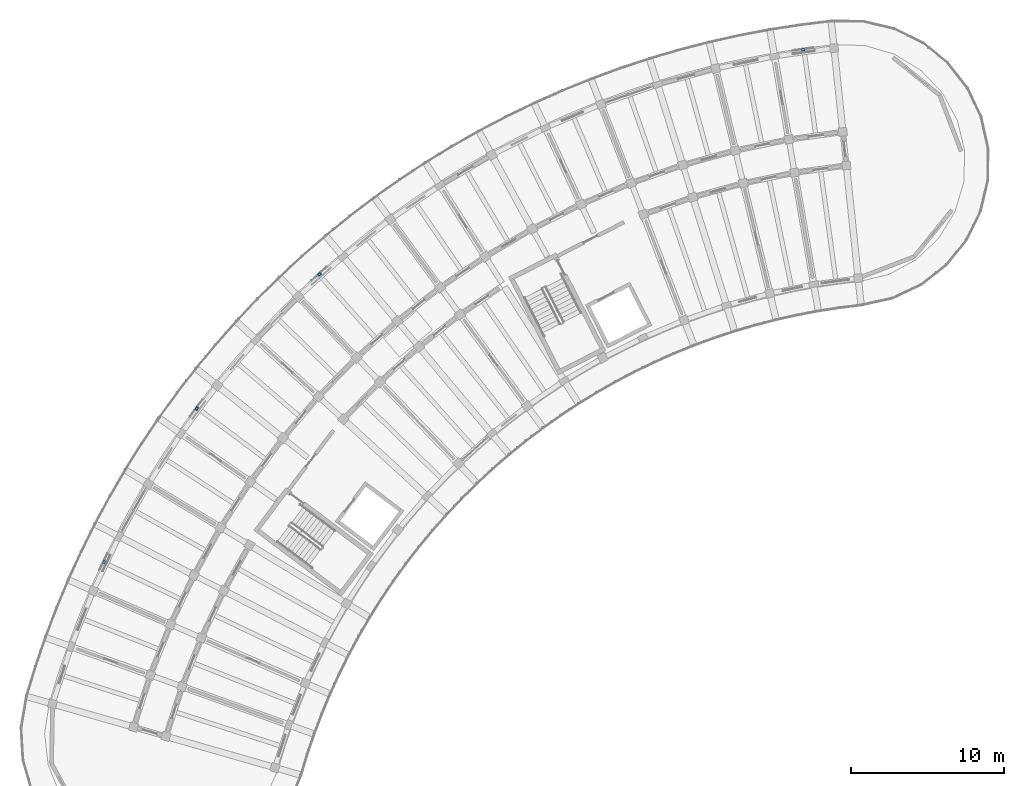
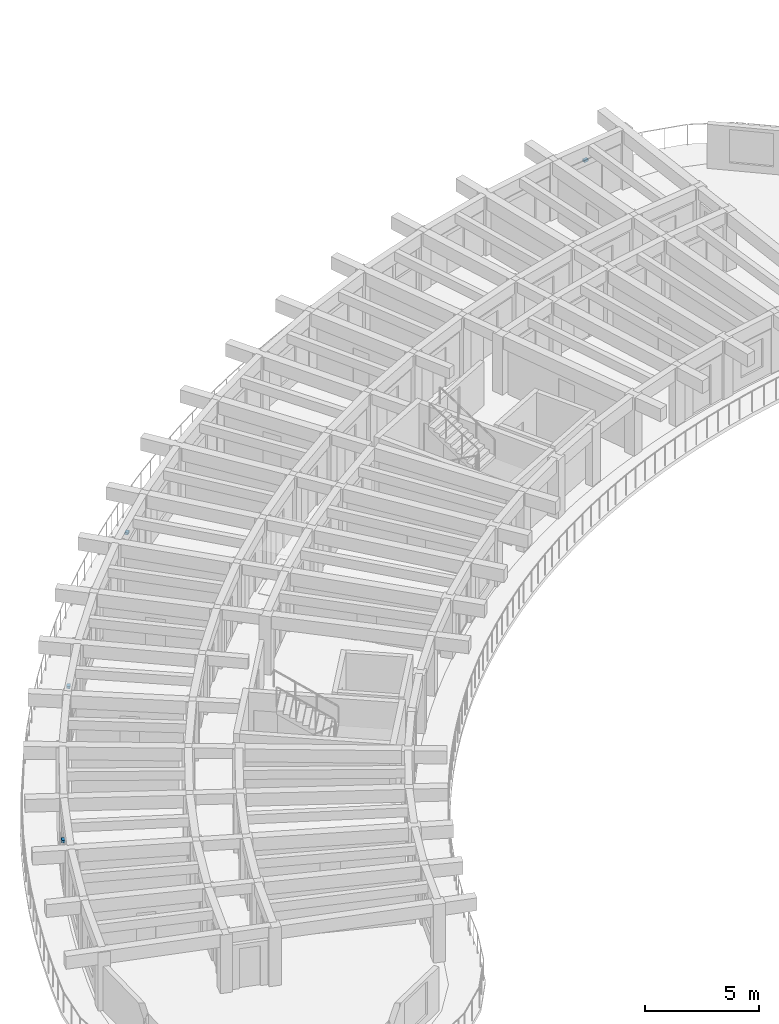
# One storey, part 58 of 78: 4 discrete accessories.
"""IFC4 building model written with IfcOpenShell, lengths in metres."""

from ifc_helpers import new_model, si_unit, direction, frame, origin, origin_2d, place, context, subcontext, project, spatial, rectangle, extrude, material, type_object, element, save


model = new_model("IFC4")

# Units and contexts
model_context = context("Model", 3, precision=1e-05, world=origin(), true_north=direction((0.0, 1.0)))
body_context = subcontext(model_context, "Body", "Model", "MODEL_VIEW")
ifc_project = project(units=[si_unit("LENGTHUNIT", "METRE"), si_unit("AREAUNIT", "SQUARE_METRE"), si_unit("VOLUMEUNIT", "CUBIC_METRE"), si_unit("PLANEANGLEUNIT", "RADIAN"), si_unit("MASSUNIT", "GRAM", prefix="KILO")], contexts=[model_context])

# Site, building, storey
site_placement = place(None, origin())
site = spatial("IfcSite", under=ifc_project, at=site_placement, CompositionType="ELEMENT")
building_placement = place(site_placement, origin())
building = spatial("IfcBuilding", under=site, at=building_placement, Name="Tanwirah Colonnade Gardens", CompositionType="ELEMENT")
storey_placement = place(building_placement, frame((0.0, 0.0, 22.280029296875)))
storey = spatial("IfcBuildingStorey", under=building, at=storey_placement, Name="L06", CompositionType="ELEMENT", Elevation=22.280029296875)

# Discrete accessories
ifc_material = material(Name="Steel S355", Category="steel")
discrete_accessory_type = type_object("IfcDiscreteAccessoryType", Name="BRK-SS1", PredefinedType="BRACKET", material=ifc_material)
for number, where, z_axis, x_axis, name in (
    (1, (56.765380859375, 119.3193359375, 2.0498046875), (0.0, 0.0, 1.0), (-0.990536278911, -0.137251157233, 0.0), "Solar screen support bracket A-L06-00"),
    (2, (25.17724609375, 104.6640625, 2.135009765625), (0.0, 0.0, 1.0), (-0.744443246346, -0.667685744172, 0.0), "Solar screen support bracket A-L06-09"),
    (3, (17.1650390625, 95.9033203125, 2.0498046875), (0.0, 0.0, 1.0), (-0.598713571255, -0.800963207392, 0.0), "Solar screen support bracket A-L06-12"),
    (4, (11.117919921875, 85.88330078125, 2.030029296875), (0.0, 0.0, 1.0), (-0.429636092721, -0.903002119506, 0.0), "Solar screen support bracket A-L06-15"),
):
    element("IfcDiscreteAccessory", number, at=place(storey_placement, frame(where, z_axis=z_axis, x_axis=x_axis)), inside=storey, type_object=discrete_accessory_type, Name=name, PredefinedType="BRACKET", context=body_context, shape_type="SweptSolid", body=[
        extrude(rectangle(XDim=0.219970703125, YDim=0.159912109375, at=origin_2d()), origin(), (0.0, 0.0, 1.0), 0.1201171875),
    ])

save(model, "model.ifc")
